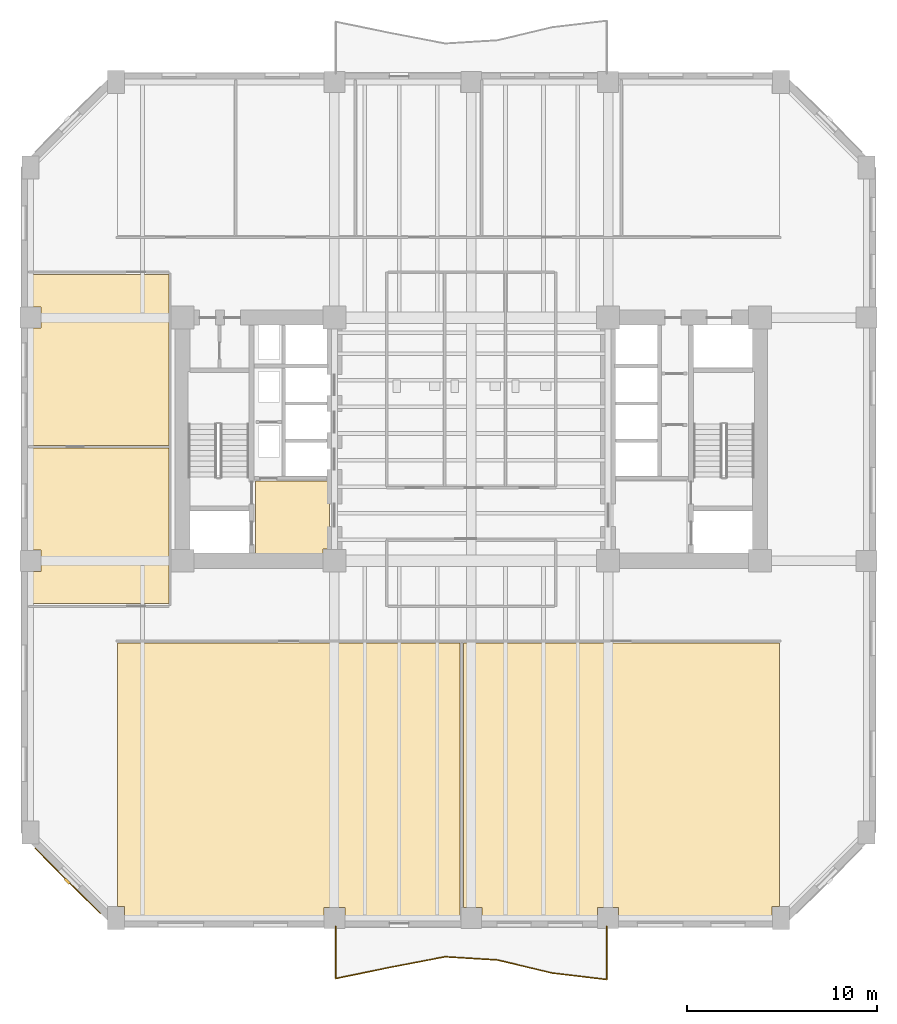
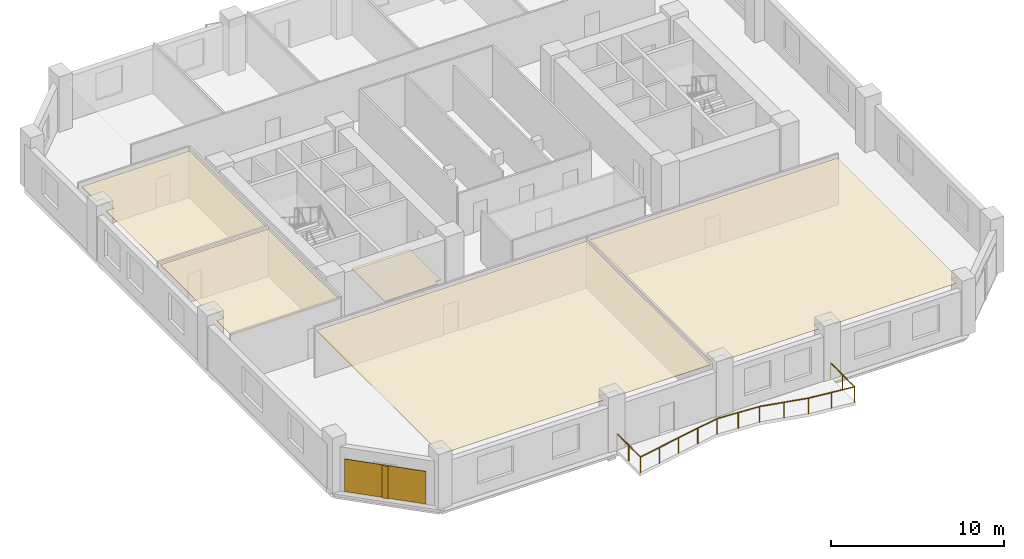
# One storey, part 6 of 10: 6 coverings, 1 railing, 1 shading device.
"""IFC4 building model written with IfcOpenShell, lengths in metres."""

from ifc_helpers import new_model, si_unit, direction, frame, origin, origin_2d, place, context, subcontext, project, spatial, polyline, rectangle, circle, outline, extrude, material, layer, layer_set, type_object, element, save


model = new_model("IFC4")

# Units and contexts
model_context = context("Model", 3, precision=1e-05, world=origin(), true_north=direction((0.0, 1.0)))
body_context = subcontext(model_context, "Body", "Model", "MODEL_VIEW")
ifc_project = project(units=[si_unit("LENGTHUNIT", "METRE"), si_unit("AREAUNIT", "SQUARE_METRE"), si_unit("VOLUMEUNIT", "CUBIC_METRE"), si_unit("PLANEANGLEUNIT", "RADIAN"), si_unit("MASSUNIT", "GRAM", prefix="KILO")], contexts=[model_context])

# Site, building, storey
site_placement = place(None, origin())
site = spatial("IfcSite", under=ifc_project, at=site_placement, CompositionType="ELEMENT")
building_placement = place(site_placement, origin())
building = spatial("IfcBuilding", under=site, at=building_placement, Name="Kranthara Brick Stack", CompositionType="ELEMENT")
storey_placement = place(building_placement, frame((0.0, 0.0, 32.10009765625)))
storey = spatial("IfcBuildingStorey", under=building, at=storey_placement, Name="L07", CompositionType="ELEMENT", Elevation=32.10009765625)

# Coverings
ifc_material_1 = material(Name="Perforated mineral-fibre acoustic ceiling tile", Category="other")
ifc_layer_1 = layer(ifc_material_1, 0.02490234375)
ifc_layer_set_1 = layer_set([ifc_layer_1], Name="Perforated mineral-fibre acoustic ceiling tile")
covering_type_1 = type_object("IfcCoveringType", Name="COV-CEIL-ACOUSTIC", PredefinedType="CEILING", material=ifc_layer_set_1)
covering_1_placement = place(storey_placement, frame((0.0, 0.0, 3.329833984375)))
element("IfcCovering", 1, at=covering_1_placement, inside=storey, type_object=covering_type_1, Name="L07 L07 Open Plan Workspace 1 Acoustic Ceiling", PredefinedType="CEILING", context=body_context, shape_type="SweptSolid", body=[
    extrude(outline(polyline([(27.419921875, 16.47998046875), (27.419921875, 2.070068359375), (21.360107421875, 2.070068359375), (21.360107421875, 2.56005859375), (20.239990234375, 2.56005859375), (20.239990234375, 2.070068359375), (9.760009765625, 2.070068359375), (9.760009765625, 2.610107421875), (9.3798828125, 2.610107421875), (9.3798828125, 16.47998046875), (27.419921875, 16.47998046875)])), origin(), (0.0, 0.0, 1.0), 0.025146484375),
])
covering_2_placement = place(storey_placement, frame((0.0, 0.0, 3.329833984375)))
element("IfcCovering", 2, at=covering_2_placement, inside=storey, type_object=covering_type_1, Name="L07 L07 Collaboration Lounge 2 Acoustic Ceiling", PredefinedType="CEILING", context=body_context, shape_type="SweptSolid", body=[
    extrude(outline(polyline([(44.219970703125, 2.610107421875), (43.840087890625, 2.610107421875), (43.840087890625, 2.070068359375), (35.760009765625, 2.070068359375), (35.760009765625, 2.56005859375), (34.639892578125, 2.56005859375), (34.639892578125, 2.070068359375), (28.56005859375, 2.070068359375), (28.56005859375, 2.56005859375), (27.580078125, 2.56005859375), (27.580078125, 16.47998046875), (44.219970703125, 16.47998046875), (44.219970703125, 2.610107421875)])), origin(), (0.0, 0.0, 1.0), 0.025146484375),
])
covering_3_placement = place(storey_placement, frame((0.0, 0.0, 3.329833984375)))
element("IfcCovering", 3, at=covering_3_placement, inside=storey, type_object=covering_type_1, Name="L07 L07 West Executive Office 1 Acoustic Ceiling", PredefinedType="CEILING", context=body_context, shape_type="SweptSolid", body=[
    extrude(outline(polyline([(4.8701171875, 26.739990234375), (12.080078125, 26.739990234375), (12.080078125, 18.5400390625), (4.8701171875, 18.5400390625), (4.8701171875, 20.239990234375), (5.360107421875, 20.239990234375), (5.360107421875, 21.360107421875), (4.8701171875, 21.360107421875), (4.8701171875, 26.739990234375)])), origin(), (0.0, 0.0, 1.0), 0.025146484375),
])
covering_4_placement = place(storey_placement, frame((0.0, 0.0, 3.329833984375)))
element("IfcCovering", 4, at=covering_4_placement, inside=storey, type_object=covering_type_1, Name="L07 L07 West Executive Office 2 Acoustic Ceiling", PredefinedType="CEILING", context=body_context, shape_type="SweptSolid", body=[
    extrude(outline(polyline([(4.8701171875, 35.860107421875), (12.080078125, 35.860107421875), (12.080078125, 26.860107421875), (4.8701171875, 26.860107421875), (4.8701171875, 33.0400390625), (5.360107421875, 33.0400390625), (5.360107421875, 34.159912109375), (4.8701171875, 34.159912109375), (4.8701171875, 35.860107421875)])), origin(), (0.0, 0.0, 1.0), 0.025146484375),
])
ifc_material_2 = material(Name="Warm buff kiln-fired brick slip rainscreen", Category="masonry")
ifc_layer_2 = layer(ifc_material_2, 0.044921875)
ifc_layer_set_2 = layer_set([ifc_layer_2], Name="Warm buff kiln-fired brick slip rainscreen")
covering_type_2 = type_object("IfcCoveringType", Name="COV-CLAD-BRICK", PredefinedType="CLADDING", material=ifc_layer_set_2)
covering_5_placement = place(storey_placement, frame((6.756591796875, 3.95654296875, 0.0498046875), z_axis=(0.0, 0.0, 1.0), x_axis=(-0.707106781187, 0.707106781187, 0.0)))
element("IfcCovering", 5, at=covering_5_placement, inside=storey, type_object=covering_type_2, Name="L07 Chamfer Brick Rainscreen Cladding SW", PredefinedType="CLADDING", context=body_context, shape_type="SweptSolid", body=[
    extrude(rectangle(XDim=4.876953125, YDim=0.044921875, at=origin_2d()), origin(), (0.0, 0.0, 1.0), 2.300048828125),
])
ifc_material_3 = material(Name="Honed terrazzo and porcelain floor finish", Category="stone")
ifc_layer_3 = layer(ifc_material_3, 0.030029296875)
ifc_layer_set_3 = layer_set([ifc_layer_3], Name="Honed terrazzo and porcelain floor finish")
covering_type_3 = type_object("IfcCoveringType", Name="COV-FLOR-STONE", PredefinedType="FLOORING", material=ifc_layer_set_3)
covering_6_placement = place(storey_placement, origin())
element("IfcCovering", 6, at=covering_6_placement, inside=storey, type_object=covering_type_3, Name="L07 Lift Lobby Stone Flooring", PredefinedType="FLOORING", context=body_context, shape_type="SweptSolid", body=[
    extrude(outline(polyline([(16.64990234375, 21.14990234375), (16.64990234375, 25.0), (20.550048828125, 25.0), (20.550048828125, 21.409912109375), (20.18994140625, 21.409912109375), (20.18994140625, 21.14990234375), (16.64990234375, 21.14990234375)])), origin(), (0.0, 0.0, 1.0), 0.02978515625),
])

# Railing
ifc_material_4 = material(Name="Bronze anodised aluminium and laminated glass balustrade", Category="aluminium")
railing_type = type_object("IfcRailingType", Name="RL-BALC-1120", PredefinedType="BALUSTRADE", material=ifc_material_4)
railing_placement = place(storey_placement, frame((35.139892578125, 1.56005859375, 0.0)))
element("IfcRailing", 7, at=railing_placement, inside=storey, type_object=railing_type, Name="L07 South Rippling Balcony Balustrade", PredefinedType="BALUSTRADE", context=body_context, shape_type="SweptSolid", body=[
    extrude(circle(Radius=0.02392578125, at=origin_2d()), frame((0.0, 0.0, 1.09619140625), z_axis=(0.000261711585, -0.999999965754, 0.0), x_axis=(0.999999965754, 0.000261711585, 0.0)), (0.0, 0.0, 1.0), 2.798583984375),
    extrude(circle(Radius=0.02392578125, at=origin_2d()), frame((0.000732421875, -2.798583984375, 1.09619140625), z_axis=(-0.993029391631, 0.117866990105, 0.0), x_axis=(-0.117866990105, -0.993029391631, 0.0)), (0.0, 0.0, 1.0), 2.89990234375),
    extrude(circle(Radius=0.02392578125, at=origin_2d()), frame((-2.87890625, -2.456787109375, 1.09619140625), z_axis=(-0.972704406869, 0.232047703842, 0.0), x_axis=(-0.232047703842, -0.972704406869, 0.0)), (0.0, 0.0, 1.0), 2.961669921875),
    extrude(circle(Radius=0.02392578125, at=origin_2d()), frame((-5.759765625, -1.76953125, 1.09619140625), z_axis=(-0.998142883673, 0.060916202878, 0.0), x_axis=(-0.060916202878, -0.998142883673, 0.0)), (0.0, 0.0, 1.0), 2.765380859375),
    extrude(circle(Radius=0.02392578125, at=origin_2d()), frame((-8.52001953125, -1.60107421875, 1.09619140625), z_axis=(-0.982016539225, -0.188794906414, 0.0), x_axis=(0.188794906414, -0.982016539225, 0.0)), (0.0, 0.0, 1.0), 2.932861328125),
    extrude(circle(Radius=0.02392578125, at=origin_2d()), frame((-11.400146484375, -2.15478515625, 1.09619140625), z_axis=(-0.979489825591, -0.201493626607, 0.0), x_axis=(0.201493626607, -0.979489825591, 0.0)), (0.0, 0.0, 1.0), 2.940673828125),
    extrude(circle(Radius=0.02392578125, at=origin_2d()), frame((-14.280517578125, -2.747314453125, 1.09619140625), z_axis=(0.000266595565, 0.999999964463, 0.0), x_axis=(-0.999999964463, 0.000266595565, 0.0)), (0.0, 0.0, 1.0), 2.747314453125),
    extrude(circle(Radius=0.02099609375, at=origin_2d()), origin(), (0.0, 0.0, 1.0), 1.072021484375),
    extrude(circle(Radius=0.02099609375, at=origin_2d()), frame((0.00048828125, -1.3994140625, 0.0)), (0.0, 0.0, 1.0), 1.072021484375),
    extrude(circle(Radius=0.02099609375, at=origin_2d()), frame((0.000732421875, -2.798583984375, 0.0)), (0.0, 0.0, 1.0), 1.072021484375),
    extrude(circle(Radius=0.02099609375, at=origin_2d()), frame((-1.43896484375, -2.627685546875, 0.0)), (0.0, 0.0, 1.0), 1.072021484375),
    extrude(circle(Radius=0.02099609375, at=origin_2d()), frame((-2.87890625, -2.456787109375, 0.0)), (0.0, 0.0, 1.0), 1.072021484375),
    extrude(circle(Radius=0.02099609375, at=origin_2d()), frame((-4.3193359375, -2.11328125, 0.0)), (0.0, 0.0, 1.0), 1.072021484375),
    extrude(circle(Radius=0.02099609375, at=origin_2d()), frame((-5.759765625, -1.76953125, 0.0)), (0.0, 0.0, 1.0), 1.072021484375),
    extrude(circle(Radius=0.02099609375, at=origin_2d()), frame((-7.139892578125, -1.685302734375, 0.0)), (0.0, 0.0, 1.0), 1.072021484375),
    extrude(circle(Radius=0.02099609375, at=origin_2d()), frame((-8.52001953125, -1.60107421875, 0.0)), (0.0, 0.0, 1.0), 1.072021484375),
    extrude(circle(Radius=0.02099609375, at=origin_2d()), frame((-9.9599609375, -1.8779296875, 0.0)), (0.0, 0.0, 1.0), 1.072021484375),
    extrude(circle(Radius=0.02099609375, at=origin_2d()), frame((-11.400146484375, -2.15478515625, 0.0)), (0.0, 0.0, 1.0), 1.072021484375),
    extrude(circle(Radius=0.02099609375, at=origin_2d()), frame((-12.84033203125, -2.451171875, 0.0)), (0.0, 0.0, 1.0), 1.072021484375),
    extrude(circle(Radius=0.02099609375, at=origin_2d()), frame((-14.280517578125, -2.747314453125, 0.0)), (0.0, 0.0, 1.0), 1.072021484375),
    extrude(circle(Radius=0.02099609375, at=origin_2d()), frame((-14.2802734375, -1.37353515625, 0.0)), (0.0, 0.0, 1.0), 1.072021484375),
    extrude(circle(Radius=0.02099609375, at=origin_2d()), frame((-14.27978515625, 0.0, 0.0)), (0.0, 0.0, 1.0), 1.072021484375),
])

# Shading device
ifc_material_5 = material(Name="Kiln-fired terracotta aerodynamic wind fin", Category="masonry")
shading_device_type = type_object("IfcShadingDeviceType", Name="SHD-BAFFLE-CORNER", PredefinedType="SHUTTER", material=ifc_material_5)
shading_device_placement = place(storey_placement, frame((6.7353515625, 3.935302734375, 0.0498046875), z_axis=(0.0, 0.0, 1.0), x_axis=(-0.707106781187, 0.707106781187, 0.0)))
element("IfcShadingDevice", 8, at=shading_device_placement, inside=storey, type_object=shading_device_type, Name="L07 Chamfer Wind-Baffle Fin SW", PredefinedType="SHUTTER", context=body_context, shape_type="SweptSolid", body=[
    extrude(rectangle(XDim=0.35009765625, YDim=0.1201171875, at=origin_2d()), origin(), (0.0, 0.0, 1.0), 2.300048828125),
])

save(model, "model.ifc")
